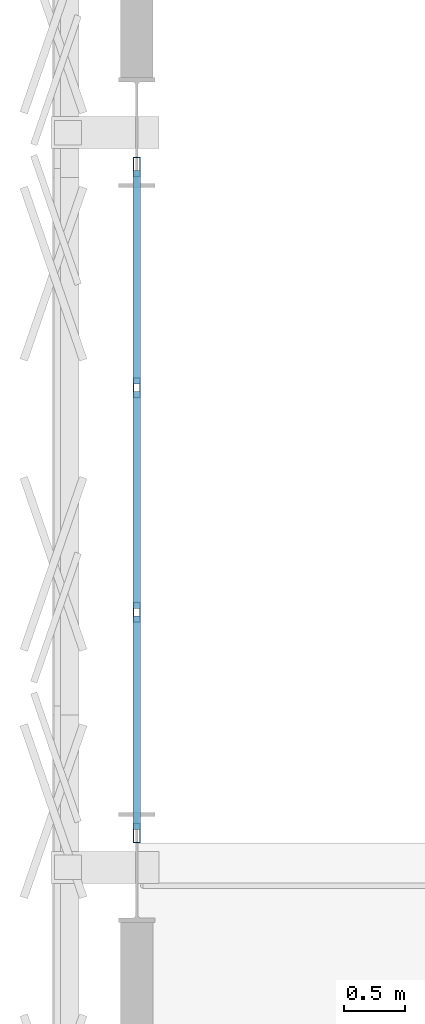
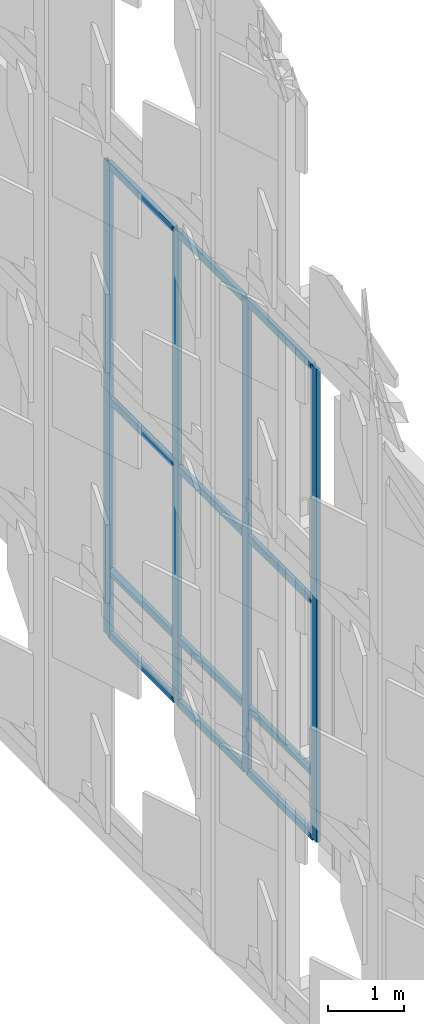
# One storey, part 50 of 210: 16 members, 1 element without a shape of its own.
"""IFC4 building model written with IfcOpenShell, lengths in metres."""

from ifc_helpers import new_model, si_unit, direction, frame, origin, origin_2d, place, context, subcontext, project, spatial, hollow_rectangle, extrude, material, material_profile, profile_set, type_object, element, aggregate, save


model = new_model("IFC4")

# Units and contexts
model_context = context("Model", 3, precision=1e-05, world=origin(), true_north=direction((0.0, 1.0)))
body_context = subcontext(model_context, "Body", "Model", "MODEL_VIEW")
ifc_project = project(units=[si_unit("LENGTHUNIT", "METRE"), si_unit("AREAUNIT", "SQUARE_METRE"), si_unit("VOLUMEUNIT", "CUBIC_METRE"), si_unit("PLANEANGLEUNIT", "RADIAN"), si_unit("MASSUNIT", "GRAM", prefix="KILO")], contexts=[model_context])

# Site, building, storey
site_placement = place(None, origin())
site = spatial("IfcSite", under=ifc_project, at=site_placement, CompositionType="ELEMENT")
building_placement = place(site_placement, origin())
building = spatial("IfcBuilding", under=site, at=building_placement, Name="Kaldris Quays Convention Centre", CompositionType="ELEMENT")
storey_placement = place(building_placement, frame((0.0, 0.0, 6.0)))
storey = spatial("IfcBuildingStorey", under=building, at=storey_placement, Name="L01", CompositionType="ELEMENT", Elevation=6.0)

# Curtain wall, members
ifc_material_1 = material(Name="Anodized aluminium AW-6060 and triple glazing", Category="aluminium")
curtain_wall_type = type_object("IfcCurtainWallType", Name="UNITISED CURTAIN WALL CW03", PredefinedType="NOTDEFINED", material=ifc_material_1)
curtain_wall_placement = place(storey_placement, origin())
curtain_wall = element("IfcCurtainWall", 1, at=curtain_wall_placement, inside=storey, type_object=curtain_wall_type, Name="L01 Unitised Curtain Wall CW03 16", PredefinedType="NOTDEFINED")
ifc_material_2 = material(Name="Anodized aluminium AW-6060", Category="aluminium")
ifc_material_profile_1 = material_profile(ifc_material_2, hollow_rectangle(XDim=0.06005859375, YDim=0.159912109375, WallThickness=0.00390625, at=origin_2d()), Name="RHS 160x60x4")
ifc_profile_set_1 = profile_set([ifc_material_profile_1], Name="Anodized aluminium AW-6060")
member_type_1 = type_object("IfcMemberType", Name="CURTAIN MULLION CWM1", PredefinedType="MULLION", material=ifc_profile_set_1)
member_1_placement = place(storey_placement, frame((20.0, 68.280029296875, 0.0), z_axis=(0.0, 0.0, 1.0), x_axis=(-1.0, 0.0, 0.0)))
member_1 = element("IfcMember", 2, at=member_1_placement, type_object=member_type_1, Name="CW03 mullion 1", PredefinedType="MULLION", context=body_context, shape_type="SweptSolid", body=[
    extrude(hollow_rectangle(XDim=0.06005859375, YDim=0.159912109375, WallThickness=0.00390625, at=origin_2d()), origin(), (0.0, 0.0, 1.0), 7.60009765625),
])
member_2_placement = place(storey_placement, frame((20.0, 70.083251953125, 0.0), z_axis=(0.0, 0.0, 1.0), x_axis=(-1.0, 0.0, 0.0)))
member_2 = element("IfcMember", 3, at=member_2_placement, type_object=member_type_1, Name="CW03 mullion 2", PredefinedType="MULLION", context=body_context, shape_type="SweptSolid", body=[
    extrude(hollow_rectangle(XDim=0.06005859375, YDim=0.159912109375, WallThickness=0.00390625, at=origin_2d()), origin(), (0.0, 0.0, 1.0), 7.60009765625),
])
member_3_placement = place(storey_placement, frame((20.0, 71.916748046875, 0.0), z_axis=(0.0, 0.0, 1.0), x_axis=(-1.0, 0.0, 0.0)))
member_3 = element("IfcMember", 4, at=member_3_placement, type_object=member_type_1, Name="CW03 mullion 3", PredefinedType="MULLION", context=body_context, shape_type="SweptSolid", body=[
    extrude(hollow_rectangle(XDim=0.06005859375, YDim=0.159912109375, WallThickness=0.00390625, at=origin_2d()), origin(), (0.0, 0.0, 1.0), 7.60009765625),
])
member_4_placement = place(storey_placement, frame((20.0, 73.719970703125, 0.0), z_axis=(0.0, 0.0, 1.0), x_axis=(-1.0, 0.0, 0.0)))
member_4 = element("IfcMember", 5, at=member_4_placement, type_object=member_type_1, Name="CW03 mullion 4", PredefinedType="MULLION", context=body_context, shape_type="SweptSolid", body=[
    extrude(hollow_rectangle(XDim=0.06005859375, YDim=0.159912109375, WallThickness=0.00390625, at=origin_2d()), origin(), (0.0, 0.0, 1.0), 7.60009765625),
])
ifc_material_profile_2 = material_profile(ifc_material_2, hollow_rectangle(XDim=0.06005859375, YDim=0.1201171875, WallThickness=0.00390625, at=origin_2d()), Name="RHS 120x60x4")
ifc_profile_set_2 = profile_set([ifc_material_profile_2], Name="Anodized aluminium AW-6060")
member_type_2 = type_object("IfcMemberType", Name="CURTAIN TRANSOM CWT1", PredefinedType="USERDEFINED", material=ifc_profile_set_2)
member_5_placement = place(storey_placement, frame((20.0, 68.31005859375, 0.030029296875), z_axis=(0.0, 1.0, 0.0), x_axis=(-1.0, 0.0, 0.0)))
member_5 = element("IfcMember", 6, at=member_5_placement, type_object=member_type_2, Name="CW03 transom 1.1", ObjectType="TRANSOM", PredefinedType="USERDEFINED", context=body_context, shape_type="SweptSolid", body=[
    extrude(hollow_rectangle(XDim=0.06005859375, YDim=0.1201171875, WallThickness=0.00390625, at=origin_2d()), origin(), (0.0, 0.0, 1.0), 1.7431640625),
])
member_6_placement = place(storey_placement, frame((20.0, 68.31005859375, 1.050048828125), z_axis=(0.0, 1.0, 0.0), x_axis=(-1.0, 0.0, 0.0)))
member_6 = element("IfcMember", 7, at=member_6_placement, type_object=member_type_2, Name="CW03 transom 1.2", ObjectType="TRANSOM", PredefinedType="USERDEFINED", context=body_context, shape_type="SweptSolid", body=[
    extrude(hollow_rectangle(XDim=0.06005859375, YDim=0.1201171875, WallThickness=0.00390625, at=origin_2d()), origin(), (0.0, 0.0, 1.0), 1.7431640625),
])
member_7_placement = place(storey_placement, frame((20.0, 68.31005859375, 3.800048828125), z_axis=(0.0, 1.0, 0.0), x_axis=(-1.0, 0.0, 0.0)))
member_7 = element("IfcMember", 8, at=member_7_placement, type_object=member_type_2, Name="CW03 transom 1.3", ObjectType="TRANSOM", PredefinedType="USERDEFINED", context=body_context, shape_type="SweptSolid", body=[
    extrude(hollow_rectangle(XDim=0.06005859375, YDim=0.1201171875, WallThickness=0.00390625, at=origin_2d()), origin(), (0.0, 0.0, 1.0), 1.7431640625),
])
member_8_placement = place(storey_placement, frame((20.0, 68.31005859375, 7.570068359375), z_axis=(0.0, 1.0, 0.0), x_axis=(-1.0, 0.0, 0.0)))
member_8 = element("IfcMember", 9, at=member_8_placement, type_object=member_type_2, Name="CW03 transom 1.4", ObjectType="TRANSOM", PredefinedType="USERDEFINED", context=body_context, shape_type="SweptSolid", body=[
    extrude(hollow_rectangle(XDim=0.06005859375, YDim=0.1201171875, WallThickness=0.00390625, at=origin_2d()), origin(), (0.0, 0.0, 1.0), 1.7431640625),
])
member_9_placement = place(storey_placement, frame((20.0, 70.11328125, 0.030029296875), z_axis=(0.0, 1.0, 0.0), x_axis=(-1.0, 0.0, 0.0)))
member_9 = element("IfcMember", 10, at=member_9_placement, type_object=member_type_2, Name="CW03 transom 2.1", ObjectType="TRANSOM", PredefinedType="USERDEFINED", context=body_context, shape_type="SweptSolid", body=[
    extrude(hollow_rectangle(XDim=0.06005859375, YDim=0.1201171875, WallThickness=0.00390625, at=origin_2d()), origin(), (0.0, 0.0, 1.0), 1.7734375),
])
member_10_placement = place(storey_placement, frame((20.0, 70.11328125, 1.050048828125), z_axis=(0.0, 1.0, 0.0), x_axis=(-1.0, 0.0, 0.0)))
member_10 = element("IfcMember", 11, at=member_10_placement, type_object=member_type_2, Name="CW03 transom 2.2", ObjectType="TRANSOM", PredefinedType="USERDEFINED", context=body_context, shape_type="SweptSolid", body=[
    extrude(hollow_rectangle(XDim=0.06005859375, YDim=0.1201171875, WallThickness=0.00390625, at=origin_2d()), origin(), (0.0, 0.0, 1.0), 1.7734375),
])
member_11_placement = place(storey_placement, frame((20.0, 70.11328125, 3.800048828125), z_axis=(0.0, 1.0, 0.0), x_axis=(-1.0, 0.0, 0.0)))
member_11 = element("IfcMember", 12, at=member_11_placement, type_object=member_type_2, Name="CW03 transom 2.3", ObjectType="TRANSOM", PredefinedType="USERDEFINED", context=body_context, shape_type="SweptSolid", body=[
    extrude(hollow_rectangle(XDim=0.06005859375, YDim=0.1201171875, WallThickness=0.00390625, at=origin_2d()), origin(), (0.0, 0.0, 1.0), 1.7734375),
])
member_12_placement = place(storey_placement, frame((20.0, 70.11328125, 7.570068359375), z_axis=(0.0, 1.0, 0.0), x_axis=(-1.0, 0.0, 0.0)))
member_12 = element("IfcMember", 13, at=member_12_placement, type_object=member_type_2, Name="CW03 transom 2.4", ObjectType="TRANSOM", PredefinedType="USERDEFINED", context=body_context, shape_type="SweptSolid", body=[
    extrude(hollow_rectangle(XDim=0.06005859375, YDim=0.1201171875, WallThickness=0.00390625, at=origin_2d()), origin(), (0.0, 0.0, 1.0), 1.7734375),
])
member_13_placement = place(storey_placement, frame((20.0, 71.94677734375, 0.030029296875), z_axis=(0.0, 1.0, 0.0), x_axis=(-1.0, 0.0, 0.0)))
member_13 = element("IfcMember", 14, at=member_13_placement, type_object=member_type_2, Name="CW03 transom 3.1", ObjectType="TRANSOM", PredefinedType="USERDEFINED", context=body_context, shape_type="SweptSolid", body=[
    extrude(hollow_rectangle(XDim=0.06005859375, YDim=0.1201171875, WallThickness=0.00390625, at=origin_2d()), origin(), (0.0, 0.0, 1.0), 1.7431640625),
])
member_14_placement = place(storey_placement, frame((20.0, 71.94677734375, 1.050048828125), z_axis=(0.0, 1.0, 0.0), x_axis=(-1.0, 0.0, 0.0)))
member_14 = element("IfcMember", 15, at=member_14_placement, type_object=member_type_2, Name="CW03 transom 3.2", ObjectType="TRANSOM", PredefinedType="USERDEFINED", context=body_context, shape_type="SweptSolid", body=[
    extrude(hollow_rectangle(XDim=0.06005859375, YDim=0.1201171875, WallThickness=0.00390625, at=origin_2d()), origin(), (0.0, 0.0, 1.0), 1.7431640625),
])
member_15_placement = place(storey_placement, frame((20.0, 71.94677734375, 3.800048828125), z_axis=(0.0, 1.0, 0.0), x_axis=(-1.0, 0.0, 0.0)))
member_15 = element("IfcMember", 16, at=member_15_placement, type_object=member_type_2, Name="CW03 transom 3.3", ObjectType="TRANSOM", PredefinedType="USERDEFINED", context=body_context, shape_type="SweptSolid", body=[
    extrude(hollow_rectangle(XDim=0.06005859375, YDim=0.1201171875, WallThickness=0.00390625, at=origin_2d()), origin(), (0.0, 0.0, 1.0), 1.7431640625),
])
member_16_placement = place(storey_placement, frame((20.0, 71.94677734375, 7.570068359375), z_axis=(0.0, 1.0, 0.0), x_axis=(-1.0, 0.0, 0.0)))
member_16 = element("IfcMember", 17, at=member_16_placement, type_object=member_type_2, Name="CW03 transom 3.4", ObjectType="TRANSOM", PredefinedType="USERDEFINED", context=body_context, shape_type="SweptSolid", body=[
    extrude(hollow_rectangle(XDim=0.06005859375, YDim=0.1201171875, WallThickness=0.00390625, at=origin_2d()), origin(), (0.0, 0.0, 1.0), 1.7431640625),
])
aggregate(curtain_wall, [member_1, member_2, member_3, member_4, member_5, member_6, member_7, member_8, member_9, member_10, member_11, member_12, member_13, member_14, member_15, member_16])

save(model, "model.ifc")
